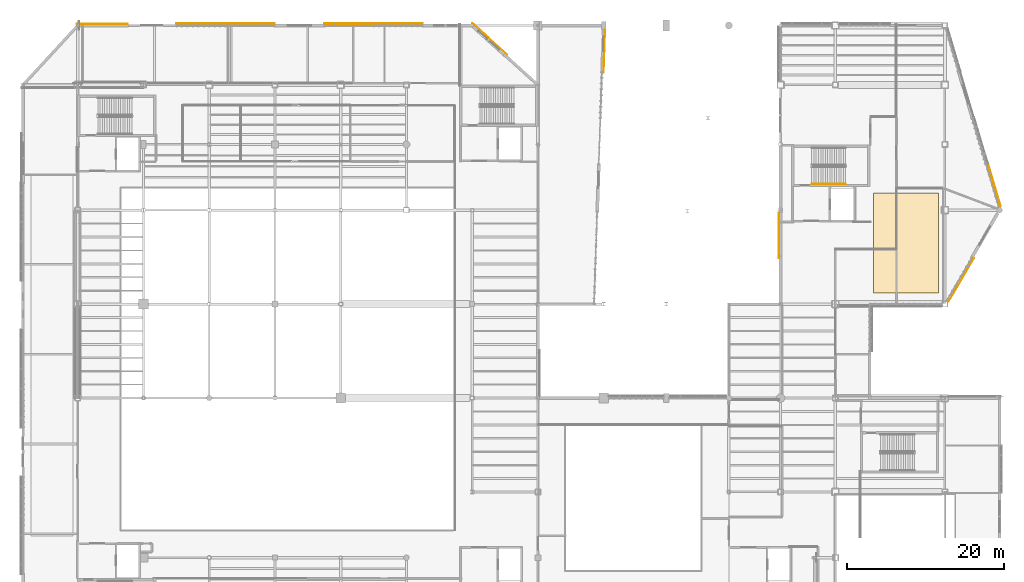
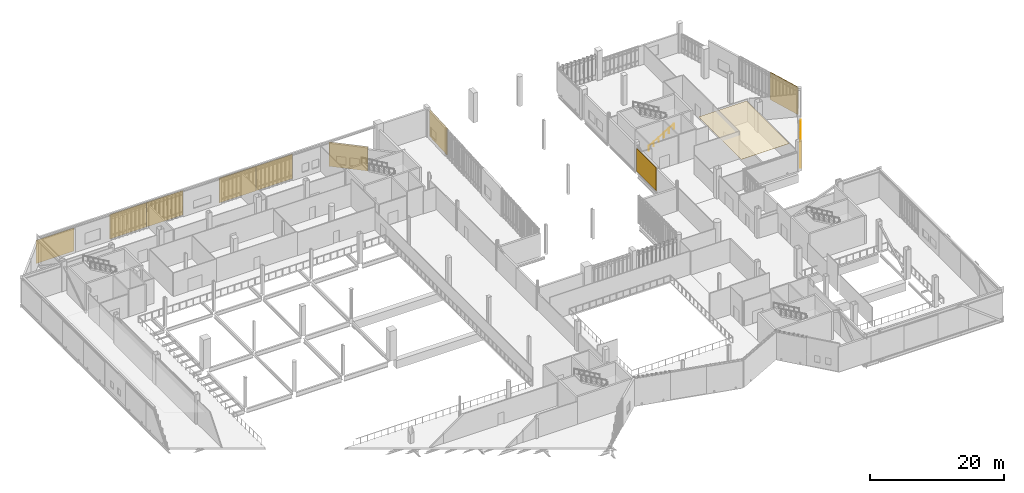
# One storey, part 126 of 127: 6 shading devices, 5 coverings, 1 railing.
"""IFC4 building model written with IfcOpenShell, lengths in metres."""

from ifc_helpers import new_model, si_unit, direction, frame, origin, origin_2d, place, context, subcontext, project, spatial, polyline, rectangle, circle, outline, extrude, material, layer, layer_set, type_object, element, save


model = new_model("IFC4")

# Units and contexts
model_context = context("Model", 3, precision=1e-05, world=origin(), true_north=direction((0.0, 1.0)))
body_context = subcontext(model_context, "Body", "Model", "MODEL_VIEW")
ifc_project = project(units=[si_unit("LENGTHUNIT", "METRE"), si_unit("AREAUNIT", "SQUARE_METRE"), si_unit("VOLUMEUNIT", "CUBIC_METRE"), si_unit("PLANEANGLEUNIT", "RADIAN"), si_unit("MASSUNIT", "GRAM", prefix="KILO")], contexts=[model_context])

# Site, building, storey
site_placement = place(None, origin())
site = spatial("IfcSite", under=ifc_project, at=site_placement, CompositionType="ELEMENT")
building_placement = place(site_placement, origin())
building = spatial("IfcBuilding", under=site, at=building_placement, Name="Larkvane Passage Sports Hall", CompositionType="ELEMENT")
storey_placement = place(building_placement, frame((0.0, 0.0, 5.39990234375)))
storey = spatial("IfcBuildingStorey", under=building, at=storey_placement, Name="L01", CompositionType="ELEMENT", Elevation=5.39990234375)

# Coverings
ifc_material_1 = material(Name="Perforated mineral-wool acoustic baffle")
ifc_layer_1 = layer(ifc_material_1, 0.030029296875)
ifc_layer_set_1 = layer_set([ifc_layer_1], Name="Perforated mineral-wool acoustic baffle")
covering_type_1 = type_object("IfcCoveringType", Name="COV-CEIL-ACOUST", PredefinedType="CEILING", material=ifc_layer_set_1)
covering_1_placement = place(storey_placement, frame((0.0, 0.0, 4.25)))
element("IfcCovering", 1, at=covering_1_placement, inside=storey, type_object=covering_type_1, Name="Acoustic ceiling baffle COV-CEIL-L01-DOJ", PredefinedType="CEILING", context=body_context, shape_type="SweptSolid", body=[
    extrude(outline(polyline([(136.5, 65.0), (144.800048828125, 65.0), (144.800048828125, 77.800048828125), (136.5, 77.800048828125), (136.5, 65.0)])), origin(), (0.0, 0.0, 1.0), 0.030029296875),
])
ifc_material_2 = material(Name="Perforated anodised aluminium 5052-H32", Category="aluminium")
ifc_layer_2 = layer(ifc_material_2, 0.050048828125)
ifc_layer_set_2 = layer_set([ifc_layer_2], Name="Perforated anodised aluminium 5052-H32")
covering_type_2 = type_object("IfcCoveringType", Name="COV-MESH-VEIL", PredefinedType="CLADDING", material=ifc_layer_set_2)
covering_2_placement = place(storey_placement, frame((37.949951171875, 99.3974609375, 0.0751953125), z_axis=(0.0, 0.0, 1.0), x_axis=(1.0, 0.0, 0.0)))
element("IfcCovering", 2, at=covering_2_placement, inside=storey, type_object=covering_type_2, Name="Perforated cladding cassette L01-072", PredefinedType="CLADDING", context=body_context, shape_type="SweptSolid", body=[
    extrude(rectangle(XDim=6.53125, YDim=0.050048828125, at=origin_2d()), origin(), (0.0, 0.0, 1.0), 4.22998046875),
])
covering_3_placement = place(storey_placement, frame((87.459228515625, 97.47607421875, 0.0751953125), z_axis=(0.0, 0.0, 1.0), x_axis=(0.741535779122, -0.670913323971, 0.0)))
element("IfcCovering", 3, at=covering_3_placement, inside=storey, type_object=covering_type_2, Name="Perforated cladding cassette L01-076", PredefinedType="CLADDING", context=body_context, shape_type="SweptSolid", body=[
    extrude(rectangle(XDim=5.971923828125, YDim=0.050048828125, at=origin_2d()), origin(), (0.0, 0.0, 1.0), 4.427978515625),
])
covering_4_placement = place(storey_placement, frame((102.086181640625, 95.89111328125, 0.0751953125), z_axis=(0.0, 0.0, 1.0), x_axis=(-0.033688731691, -0.999432373579, 0.0)))
element("IfcCovering", 4, at=covering_4_placement, inside=storey, type_object=covering_type_2, Name="Perforated cladding cassette L01-080", PredefinedType="CLADDING", context=body_context, shape_type="SweptSolid", body=[
    extrude(rectangle(XDim=5.49658203125, YDim=0.050048828125, at=origin_2d()), origin(), (0.0, 0.0, 1.0), 4.949951171875),
])
covering_5_placement = place(storey_placement, frame((124.402587890625, 72.381591796875, 0.0751953125), z_axis=(0.0, 0.0, 1.0), x_axis=(0.0, 1.0, 0.0)))
element("IfcCovering", 5, at=covering_5_placement, inside=storey, type_object=covering_type_2, Name="Perforated cladding cassette L01-088", PredefinedType="CLADDING", context=body_context, shape_type="SweptSolid", body=[
    extrude(rectangle(XDim=5.794677734375, YDim=0.050048828125, at=origin_2d()), origin(), (0.0, 0.0, 1.0), 4.218017578125),
])

# Railing
ifc_material_3 = material(Name="Stainless steel S355JR", Category="steel")
railing_type = type_object("IfcRailingType", Name="RL-HAND-920", PredefinedType="HANDRAIL", material=ifc_material_3)
railing_placement = place(storey_placement, frame((128.580078125, 78.949951171875, 0.1689453125)))
element("IfcRailing", 6, at=railing_placement, inside=storey, type_object=railing_type, Name="L01 ST-06 stair handrail 1", PredefinedType="HANDRAIL", context=body_context, shape_type="SweptSolid", body=[
    extrude(circle(Radius=0.02392578125, at=origin_2d()), frame((0.001708984375, 0.0, 0.876953125), z_axis=(0.864311530196, 0.0, 0.502956835891), x_axis=(0.0, 1.0, 0.0)), (0.0, 0.0, 1.0), 5.02880859375),
    extrude(circle(Radius=0.02099609375, at=origin_2d()), origin(), (0.0, 0.0, 1.0), 0.851806640625),
    extrude(circle(Radius=0.02099609375, at=origin_2d()), frame((0.869873046875, 0.0, 0.50634765625)), (0.0, 0.0, 1.0), 0.851806640625),
    extrude(circle(Radius=0.02099609375, at=origin_2d()), frame((1.739990234375, 0.0, 1.012451171875)), (0.0, 0.0, 1.0), 0.851806640625),
    extrude(circle(Radius=0.02099609375, at=origin_2d()), frame((2.60986328125, 0.0, 1.518798828125)), (0.0, 0.0, 1.0), 0.851806640625),
    extrude(circle(Radius=0.02099609375, at=origin_2d()), frame((3.47998046875, 0.0, 2.02490234375)), (0.0, 0.0, 1.0), 0.851806640625),
    extrude(circle(Radius=0.02099609375, at=origin_2d()), frame((4.349853515625, 0.0, 2.53125)), (0.0, 0.0, 1.0), 0.851806640625),
])

# Shading devices
ifc_material_4 = material(Name="Extruded aluminium 6063-T6", Category="aluminium")
ifc_layer_3 = layer(ifc_material_4, 0.1201171875)
ifc_layer_set_3 = layer_set([ifc_layer_3], Name="Extruded aluminium 6063-T6")
shading_device_type_1 = type_object("IfcShadingDeviceType", Name="SHD-LOUVRE-STORM", PredefinedType="JALOUSIE", material=ifc_layer_set_3)
shading_device_1_placement = place(storey_placement, frame((69.449951171875, 99.43994140625, 0.06005859375), z_axis=(0.0, 0.0, 1.0), x_axis=(1.0, 0.0, 0.0)))
element("IfcShadingDevice", 7, at=shading_device_1_placement, inside=storey, type_object=shading_device_type_1, Name="Solar veil screen L01-027", PredefinedType="JALOUSIE", context=body_context, shape_type="SweptSolid", body=[
    extrude(rectangle(XDim=6.300048828125, YDim=0.1201171875, at=origin_2d()), origin(), (0.0, 0.0, 1.0), 4.4580078125),
])
shading_device_2_placement = place(storey_placement, frame((151.893798828125, 78.824951171875, 0.06005859375), z_axis=(0.0, 0.0, 1.0), x_axis=(0.284364947432, -0.958716108487, 0.0)))
element("IfcShadingDevice", 8, at=shading_device_2_placement, inside=storey, type_object=shading_device_type_1, Name="Solar veil screen L01-036", PredefinedType="JALOUSIE", context=body_context, shape_type="SweptSolid", body=[
    extrude(rectangle(XDim=5.722900390625, YDim=0.1201171875, at=origin_2d()), origin(), (0.0, 0.0, 1.0), 4.97998046875),
])
ifc_layer_4 = layer(ifc_material_2, 0.06005859375)
ifc_layer_set_4 = layer_set([ifc_layer_4], Name="Perforated anodised aluminium 5052-H32")
shading_device_type_2 = type_object("IfcShadingDeviceType", Name="SHD-VEIL-PERF", PredefinedType="SHUTTER", material=ifc_layer_set_4)
shading_device_3_placement = place(storey_placement, frame((50.550048828125, 99.43994140625, 0.06005859375), z_axis=(0.0, 0.0, 1.0), x_axis=(1.0, 0.0, 0.0)))
element("IfcShadingDevice", 9, at=shading_device_3_placement, inside=storey, type_object=shading_device_type_2, Name="Solar veil screen L01-025", PredefinedType="SHUTTER", context=body_context, shape_type="SweptSolid", body=[
    extrude(rectangle(XDim=6.300048828125, YDim=0.06005859375, at=origin_2d()), origin(), (0.0, 0.0, 1.0), 4.447998046875),
])
for number, where, z_axis, x_axis, name in (
    (10, (56.85009765625, 99.43994140625, 0.06005859375), (0.0, 0.0, 1.0), (1.0, 0.0, 0.0), "Solar veil screen L01-026"),
    (11, (75.75, 99.43994140625, 0.06005859375), (0.0, 0.0, 1.0), (1.0, 0.0, 0.0), "Solar veil screen L01-028"),
):
    element("IfcShadingDevice", number, at=place(storey_placement, frame(where, z_axis=z_axis, x_axis=x_axis)), inside=storey, type_object=shading_device_type_2, Name=name, PredefinedType="SHUTTER", context=body_context, shape_type="SweptSolid", body=[
        extrude(rectangle(XDim=6.300048828125, YDim=0.06005859375, at=origin_2d()), origin(), (0.0, 0.0, 1.0), 4.4580078125),
    ])
shading_device_4_placement = place(storey_placement, frame((147.677001953125, 66.68408203125, 0.06005859375), z_axis=(0.0, 0.0, 1.0), x_axis=(-0.503871025531, -0.863778900894, 0.0)))
element("IfcShadingDevice", 12, at=shading_device_4_placement, inside=storey, type_object=shading_device_type_2, Name="Solar veil screen L01-037", PredefinedType="SHUTTER", context=body_context, shape_type="SweptSolid", body=[
    extrude(rectangle(XDim=6.471435546875, YDim=0.06005859375, at=origin_2d()), origin(), (0.0, 0.0, 1.0), 4.248046875),
])

save(model, "model.ifc")
